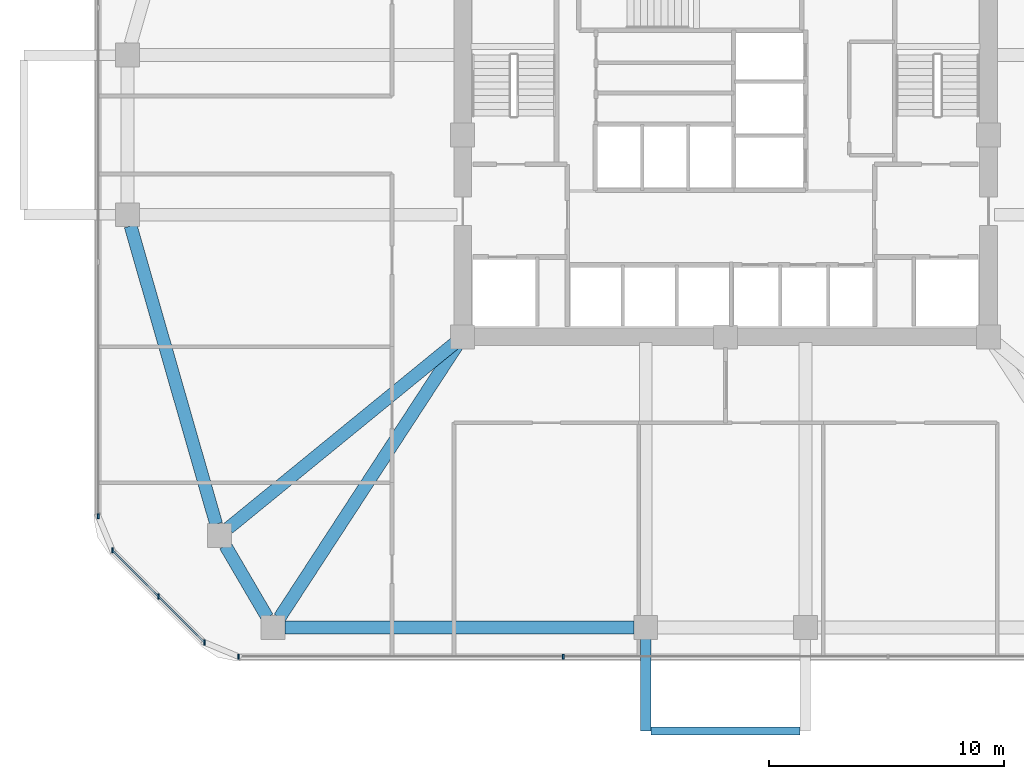
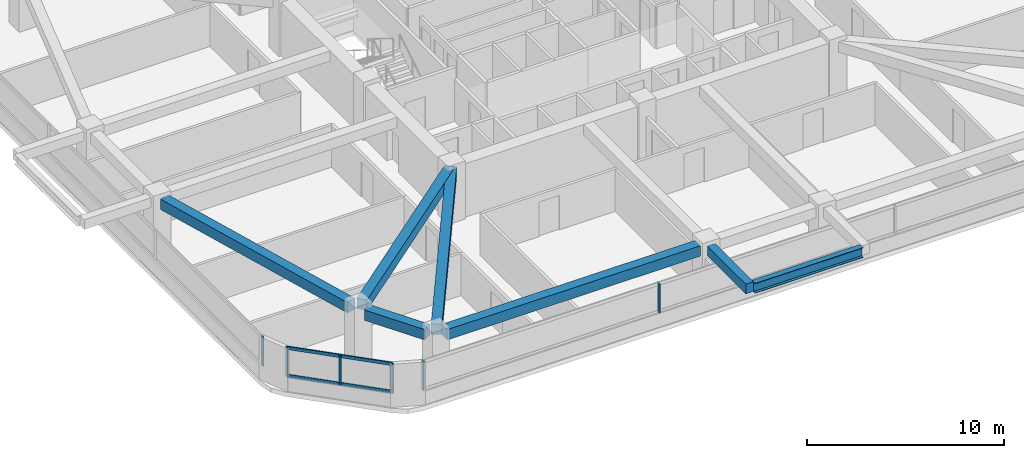
# One storey, part 2 of 14: 8 members, 7 beams, 3 elements without a shape of their own.
"""IFC4 building model written with IfcOpenShell, lengths in metres."""

from ifc_helpers import new_model, si_unit, derived_unit, direction, frame, origin, origin_2d, place, context, subcontext, project, spatial, rectangle, i_section, extrude, material, material_profile, profile_set, type_object, element, aggregate, save


model = new_model("IFC4")

# Units and contexts
model_context = context("Model", 3, precision=1e-05, world=origin(), true_north=direction((0.0, 1.0)))
body_context = subcontext(model_context, "Body", "Model", "MODEL_VIEW")
ifc_project = project(units=[si_unit("LENGTHUNIT", "METRE"), si_unit("AREAUNIT", "SQUARE_METRE"), si_unit("VOLUMEUNIT", "CUBIC_METRE"), si_unit("PLANEANGLEUNIT", "RADIAN"), si_unit("MASSUNIT", "GRAM", prefix="KILO"), derived_unit("THERMALTRANSMITTANCEUNIT", [(si_unit("POWERUNIT", "WATT"), 1), (si_unit("LENGTHUNIT", "METRE"), -2), (si_unit("THERMODYNAMICTEMPERATUREUNIT", "KELVIN"), -1)])], contexts=[model_context])

# Site, building, storey
site_placement = place(None, origin())
site = spatial("IfcSite", under=ifc_project, at=site_placement, CompositionType="ELEMENT")
building_placement = place(site_placement, origin())
building = spatial("IfcBuilding", under=site, at=building_placement, Name="Koralith Skygarden Medical Center", CompositionType="ELEMENT")
storey_placement = place(building_placement, frame((0.0, 0.0, 81.179931640625)))
storey = spatial("IfcBuildingStorey", under=building, at=storey_placement, Name="L20", CompositionType="ELEMENT", Elevation=81.179931640625)

# Curtain wall, members
ifc_material_1 = material(Name="Clear Laminated Glass", Category="glass")
curtain_wall_type = type_object("IfcCurtainWallType", Name="CW-3 Zone 2 Faceted Solar Curtain Wall", PredefinedType="NOTDEFINED", material=ifc_material_1)
curtain_wall_1_placement = place(storey_placement, origin())
curtain_wall_1 = element("IfcCurtainWall", 1, at=curtain_wall_1_placement, inside=storey, type_object=curtain_wall_type, Name="Curtain Wall CW-L20-S", PredefinedType="NOTDEFINED")
ifc_material_2 = material(Name="Aluminium 6063-T6", Category="aluminium")
ifc_material_profile_1 = material_profile(ifc_material_2, rectangle(XDim=0.073974609375, YDim=0.219970703125, at=origin_2d()), Name="MUL74X220")
ifc_profile_set_1 = profile_set([ifc_material_profile_1], Name="Aluminium 6063-T6")
member_type_1 = type_object("IfcMemberType", Name="CW-3 Extruded Mullion 74x220", PredefinedType="MULLION", material=ifc_profile_set_1)
member_1_placement = place(storey_placement, frame((16.2548828125, 3.679931640625, 0.85009765625), z_axis=(0.0, 0.0, 1.0), x_axis=(1.0, 0.0, 0.0)))
member_1 = element("IfcMember", 2, at=member_1_placement, type_object=member_type_1, Name="CW-L20-S Mullion 1", PredefinedType="MULLION", context=body_context, shape_type="SweptSolid", body=[
    extrude(rectangle(XDim=0.073974609375, YDim=0.219970703125, at=origin_2d()), origin(), (0.0, 0.0, 1.0), 1.820068359375),
])
member_2_placement = place(storey_placement, frame((30.0849609375, 3.679931640625, 0.85009765625), z_axis=(0.0, 0.0, 1.0), x_axis=(1.0, 0.0, 0.0)))
member_2 = element("IfcMember", 3, at=member_2_placement, type_object=member_type_1, Name="CW-L20-S Mullion 2", PredefinedType="MULLION", context=body_context, shape_type="SweptSolid", body=[
    extrude(rectangle(XDim=0.073974609375, YDim=0.219970703125, at=origin_2d()), origin(), (0.0, 0.0, 1.0), 1.820068359375),
])
aggregate(curtain_wall_1, [member_1, member_2])

# Curtain wall, member
curtain_wall_2_placement = place(storey_placement, origin())
curtain_wall_2 = element("IfcCurtainWall", 4, at=curtain_wall_2_placement, inside=storey, type_object=curtain_wall_type, Name="Curtain Wall CW-L20-W", PredefinedType="NOTDEFINED")
member_3_placement = place(storey_placement, frame((10.280029296875, 9.655029296875, 0.85009765625), z_axis=(0.0, 0.0, 1.0), x_axis=(1.0, 0.0, 0.0)))
member_3 = element("IfcMember", 5, at=member_3_placement, type_object=member_type_1, Name="CW-L20-W Mullion 4", PredefinedType="MULLION", context=body_context, shape_type="SweptSolid", body=[
    extrude(rectangle(XDim=0.073974609375, YDim=0.219970703125, at=origin_2d()), origin(), (0.0, 0.0, 1.0), 1.820068359375),
])
aggregate(curtain_wall_2, [member_3])

# Curtain wall, members
curtain_wall_3_placement = place(storey_placement, origin())
curtain_wall_3 = element("IfcCurtainWall", 6, at=curtain_wall_3_placement, inside=storey, type_object=curtain_wall_type, Name="Curtain Wall CW-L20-SW", PredefinedType="NOTDEFINED")
member_4_placement = place(storey_placement, frame((10.881103515625, 8.2041015625, 0.85009765625), z_axis=(0.0, 0.0, 1.0), x_axis=(1.0, 0.0, 0.0)))
member_4 = element("IfcMember", 7, at=member_4_placement, type_object=member_type_1, Name="CW-L20-SW Mullion 1", PredefinedType="MULLION", context=body_context, shape_type="SweptSolid", body=[
    extrude(rectangle(XDim=0.073974609375, YDim=0.219970703125, at=origin_2d()), origin(), (0.0, 0.0, 1.0), 1.820068359375),
])
member_5_placement = place(storey_placement, frame((12.843017578125, 6.241943359375, 0.85009765625), z_axis=(0.0, 0.0, 1.0), x_axis=(1.0, 0.0, 0.0)))
member_5 = element("IfcMember", 8, at=member_5_placement, type_object=member_type_1, Name="CW-L20-SW Mullion 2", PredefinedType="MULLION", context=body_context, shape_type="SweptSolid", body=[
    extrude(rectangle(XDim=0.073974609375, YDim=0.219970703125, at=origin_2d()), origin(), (0.0, 0.0, 1.0), 1.820068359375),
])
member_6_placement = place(storey_placement, frame((14.803955078125, 4.281005859375, 0.85009765625), z_axis=(0.0, 0.0, 1.0), x_axis=(1.0, 0.0, 0.0)))
member_6 = element("IfcMember", 9, at=member_6_placement, type_object=member_type_1, Name="CW-L20-SW Mullion 3", PredefinedType="MULLION", context=body_context, shape_type="SweptSolid", body=[
    extrude(rectangle(XDim=0.073974609375, YDim=0.219970703125, at=origin_2d()), origin(), (0.0, 0.0, 1.0), 1.820068359375),
])
ifc_material_profile_2 = material_profile(ifc_material_2, rectangle(XDim=0.069091796875, YDim=0.197998046875, at=origin_2d()), Name="TRN69X198")
ifc_profile_set_2 = profile_set([ifc_material_profile_2], Name="Aluminium 6063-T6")
member_type_2 = type_object("IfcMemberType", Name="CW-3 Thermal Transom 69x198", PredefinedType="USERDEFINED", material=ifc_profile_set_2)
member_7_placement = place(storey_placement, frame((10.881103515625, 8.2041015625, 0.900146484375), z_axis=(0.707084777957, -0.707128783731, 0.0), x_axis=(0.707128783731, 0.707084777957, 0.0)))
member_7 = element("IfcMember", 10, at=member_7_placement, type_object=member_type_2, Name="CW-L20-SW Transom 1", ObjectType="TRANSOM", PredefinedType="USERDEFINED", context=body_context, shape_type="SweptSolid", body=[
    extrude(rectangle(XDim=0.069091796875, YDim=0.197998046875, at=origin_2d()), origin(), (0.0, 0.0, 1.0), 5.5478515625),
])
member_8_placement = place(storey_placement, frame((10.881103515625, 8.2041015625, 2.6201171875), z_axis=(0.707084777957, -0.707128783731, 0.0), x_axis=(0.707128783731, 0.707084777957, 0.0)))
member_8 = element("IfcMember", 11, at=member_8_placement, type_object=member_type_2, Name="CW-L20-SW Transom 2", ObjectType="TRANSOM", PredefinedType="USERDEFINED", context=body_context, shape_type="SweptSolid", body=[
    extrude(rectangle(XDim=0.069091796875, YDim=0.197998046875, at=origin_2d()), origin(), (0.0, 0.0, 1.0), 5.5478515625),
])
aggregate(curtain_wall_3, [member_4, member_5, member_6, member_7, member_8])

# Beams
ifc_material_3 = material(Name="Steel ASTM A992 Grade 50", Category="steel")
ifc_material_profile_3 = material_profile(ifc_material_3, i_section(OverallWidth=0.326904296875, OverallDepth=0.6220703125, WebThickness=0.015380859375, FlangeThickness=0.0244140625, at=origin_2d()), Name="W24X131")
ifc_profile_set_3 = profile_set([ifc_material_profile_3], Name="Steel ASTM A992 Grade 50")
beam_type_1 = type_object("IfcBeamType", Name="Cantilever Tie Beam W24X131", PredefinedType="BEAM", material=ifc_profile_set_3)
beam_1_placement = place(storey_placement, frame((33.820068359375, 0.510009765625, 3.029052734375), z_axis=(1.0, 0.0, 0.0), x_axis=(0.0, 1.0, 0.0)))
element("IfcBeam", 12, at=beam_1_placement, inside=storey, type_object=beam_type_1, Name="L21 S Balcony Tip Tie Beam", PredefinedType="BEAM", context=body_context, shape_type="SweptSolid", body=[
    extrude(i_section(OverallWidth=0.326904296875, OverallDepth=0.6220703125, WebThickness=0.015380859375, FlangeThickness=0.0244140625, at=origin_2d()), origin(), (0.0, 0.0, 1.0), 6.35986328125),
])
ifc_material_4 = material(Name="Concrete C45/55", Category="concrete")
ifc_material_profile_4 = material_profile(ifc_material_4, rectangle(XDim=0.449951171875, YDim=0.60009765625, at=origin_2d()), Name="RCB450X600")
ifc_profile_set_4 = profile_set([ifc_material_profile_4], Name="Concrete C45/55")
beam_type_2 = type_object("IfcBeamType", Name="Planted Balcony Cantilever Beam RCB450X600", PredefinedType="BEAM", material=ifc_profile_set_4)
beam_2_placement = place(storey_placement, frame((33.60009765625, 4.429931640625, 3.0400390625), z_axis=(0.0, -1.0, 0.0), x_axis=(1.0, 0.0, 0.0)))
element("IfcBeam", 13, at=beam_2_placement, inside=storey, type_object=beam_type_2, Name="L21 S Balcony Cantilever Beam A", PredefinedType="BEAM", context=body_context, shape_type="SweptSolid", body=[
    extrude(rectangle(XDim=0.449951171875, YDim=0.60009765625, at=origin_2d()), origin(), (0.0, 0.0, 1.0), 3.919921875),
])
ifc_material_profile_5 = material_profile(ifc_material_4, rectangle(XDim=0.550048828125, YDim=0.639892578125, at=origin_2d()), Name="RCB550X640")
ifc_profile_set_5 = profile_set([ifc_material_profile_5], Name="Concrete C45/55")
beam_type_3 = type_object("IfcBeamType", Name="Radial Collector Beam RCB550X640", PredefinedType="BEAM", material=ifc_profile_set_5)
beam_3_placement = place(storey_placement, frame((25.60595703125, 17.14208984375, 3.0), z_axis=(-0.774537653753, -0.632527804067, 0.0), x_axis=(0.632527804067, -0.774537653753, 0.0)))
element("IfcBeam", 14, at=beam_3_placement, inside=storey, type_object=beam_type_3, Name="L20 Radial Collector Beam RB-02", PredefinedType="BEAM", context=body_context, shape_type="SweptSolid", body=[
    extrude(rectangle(XDim=0.550048828125, YDim=0.639892578125, at=origin_2d()), origin(), (0.0, 0.0, 1.0), 12.625732421875),
])
beam_4_placement = place(storey_placement, frame((25.6640625, 17.091064453125, 3.0), z_axis=(-0.546010797592, -0.83777813824, 0.0), x_axis=(0.83777813824, -0.546010797592, 0.0)))
element("IfcBeam", 15, at=beam_4_placement, inside=storey, type_object=beam_type_3, Name="L20 Radial Collector Beam RB-03", PredefinedType="BEAM", context=body_context, shape_type="SweptSolid", body=[
    extrude(rectangle(XDim=0.550048828125, YDim=0.639892578125, at=origin_2d()), origin(), (0.0, 0.0, 1.0), 14.027587890625),
])
ifc_material_profile_6 = material_profile(ifc_material_4, rectangle(XDim=0.550048828125, YDim=0.639892578125, at=origin_2d()), Name="RCB550X640")
ifc_profile_set_6 = profile_set([ifc_material_profile_6], Name="Concrete C45/55")
beam_type_4 = type_object("IfcBeamType", Name="Zone 2-3 Spandrel Beam RCB550X640", PredefinedType="SPANDREL", material=ifc_profile_set_6)
beam_5_placement = place(storey_placement, frame((11.657958984375, 22.01904296875, 3.0), z_axis=(0.275843733572, -0.961202494092, 0.0), x_axis=(0.961202494092, 0.275843733572, 0.0)))
element("IfcBeam", 16, at=beam_5_placement, inside=storey, type_object=beam_type_4, Name="L20 Perimeter Spandrel Beam SP-01", PredefinedType="SPANDREL", context=body_context, shape_type="SweptSolid", body=[
    extrude(rectangle(XDim=0.550048828125, YDim=0.639892578125, at=origin_2d()), origin(), (0.0, 0.0, 1.0), 13.21044921875),
])
beam_6_placement = place(storey_placement, frame((15.69189453125, 8.407958984375, 3.0), z_axis=(0.50502386975, -0.863105376523, 0.0), x_axis=(0.863105376523, 0.50502386975, 0.0)))
element("IfcBeam", 17, at=beam_6_placement, inside=storey, type_object=beam_type_4, Name="L20 Perimeter Spandrel Beam SP-02", PredefinedType="SPANDREL", context=body_context, shape_type="SweptSolid", body=[
    extrude(rectangle(XDim=0.550048828125, YDim=0.639892578125, at=origin_2d()), origin(), (0.0, 0.0, 1.0), 3.54052734375),
])
beam_7_placement = place(storey_placement, frame((18.23193359375, 4.919921875, 3.0), z_axis=(1.0, 0.0, 0.0), x_axis=(0.0, 1.0, 0.0)))
element("IfcBeam", 18, at=beam_7_placement, inside=storey, type_object=beam_type_4, Name="L20 Perimeter Spandrel Beam SP-03", PredefinedType="SPANDREL", context=body_context, shape_type="SweptSolid", body=[
    extrude(rectangle(XDim=0.550048828125, YDim=0.639892578125, at=origin_2d()), origin(), (0.0, 0.0, 1.0), 14.8681640625),
])

save(model, "model.ifc")
